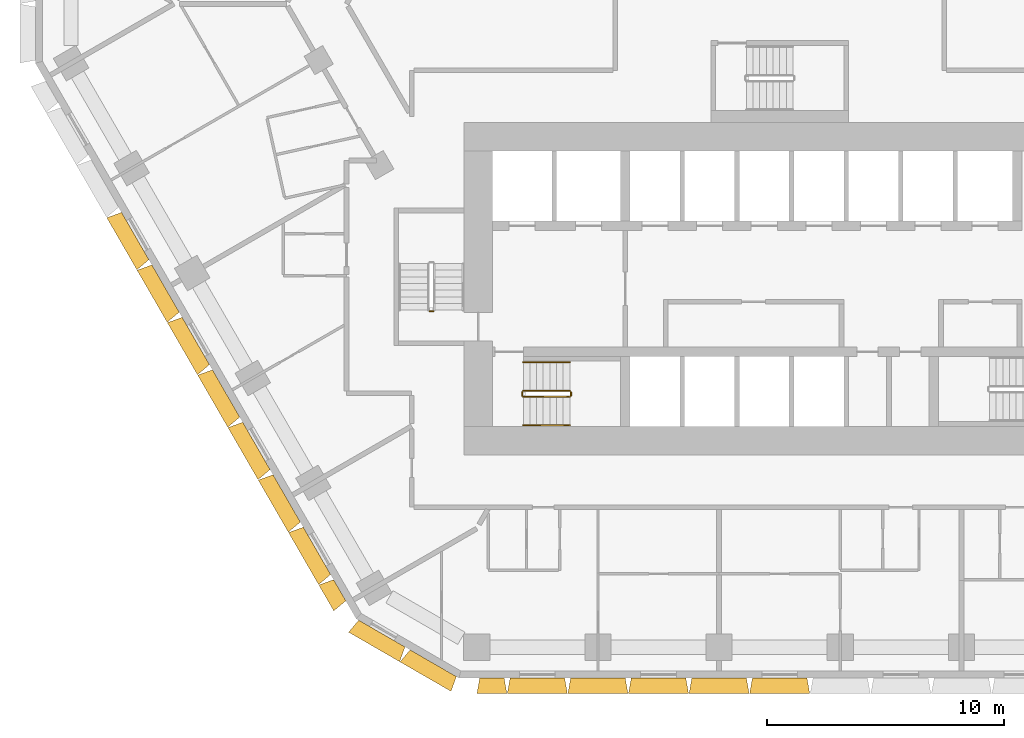
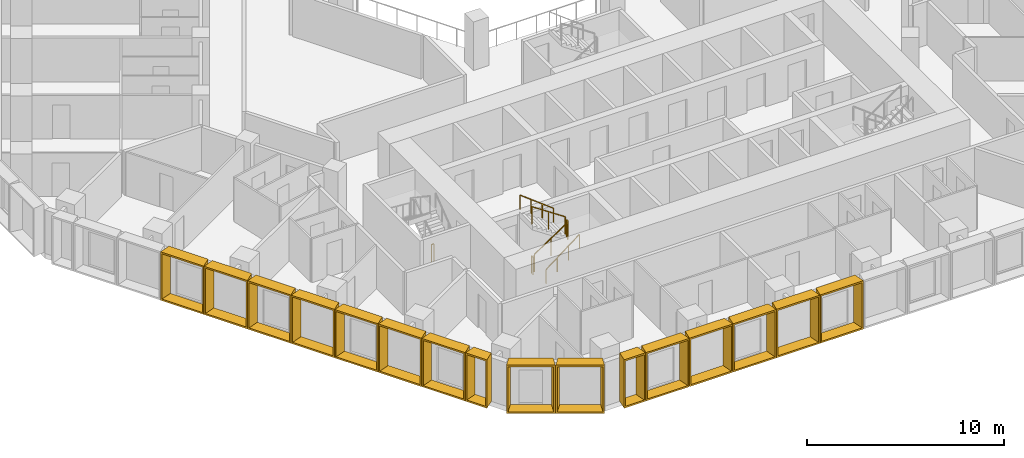
# One storey, part 13 of 16: 16 shading devices, 7 railings.
"""IFC4 building model written with IfcOpenShell, lengths in metres."""

from ifc_helpers import new_model, entity, si_unit, direction, frame, origin, origin_2d, place, context, subcontext, project, spatial, rectangle, extrude, source, transform, mapped, material, type_object, type_shapes, element, save


model = new_model("IFC4")

# Units and contexts
model_context = context("Model", 3, precision=1e-05, world=origin(), true_north=direction((0.0, 1.0)))
body_context = subcontext(model_context, "Body", "Model", "MODEL_VIEW")
ifc_project = project(units=[si_unit("LENGTHUNIT", "METRE"), si_unit("AREAUNIT", "SQUARE_METRE"), si_unit("VOLUMEUNIT", "CUBIC_METRE"), si_unit("PLANEANGLEUNIT", "RADIAN"), si_unit("MASSUNIT", "GRAM", prefix="KILO")], contexts=[model_context])

# Site, building, storey
site_placement = place(None, origin())
site = spatial("IfcSite", under=ifc_project, at=site_placement, CompositionType="ELEMENT")
building_placement = place(site_placement, origin())
building = spatial("IfcBuilding", under=site, at=building_placement, Name="Beryl Residences", CompositionType="ELEMENT")
storey_placement = place(building_placement, frame((0.0, 0.0, 50.39990234375)))
storey = spatial("IfcBuildingStorey", under=building, at=storey_placement, Name="L15", CompositionType="ELEMENT", Elevation=50.39990234375)

# Shading devices
ifc_material_1 = material(Name="Aluminium pale anodised", Category="aluminium")
shading_device_type_1 = type_object("IfcShadingDeviceType", Name="FR128-65A OUTER SKIN frame 650 mm deep, splay 10/10 deg, 1280 x 3000 mm cell", PredefinedType="USERDEFINED", material=ifc_material_1)
cartesian_point_1 = entity("IfcCartesianPoint", [-0.514892578125, 0.0])
cartesian_point_2 = entity("IfcCartesianPoint", [-0.433837890625, 0.10009765625])
cartesian_point_3 = entity("IfcCartesianPoint", [-0.629638671875, 0.0])
cartesian_point_4 = entity("IfcCartesianPoint", [-0.54833984375, 0.10009765625])
shared_shape_1 = source(origin(), body_context, "Body", "SweptSolid", [
    entity("IfcExtrudedAreaSolidTapered", entity("IfcArbitraryProfileDefWithVoids", "AREA", None, entity("IfcPolyline", [cartesian_point_1, entity("IfcCartesianPoint", [0.514892578125, 0.0]), entity("IfcCartesianPoint", [0.514892578125, 3.0]), entity("IfcCartesianPoint", [-0.514892578125, 3.0]), cartesian_point_1]), [entity("IfcPolyline", [cartesian_point_2, entity("IfcCartesianPoint", [0.433837890625, 0.10009765625]), entity("IfcCartesianPoint", [0.433837890625, 2.89990234375]), entity("IfcCartesianPoint", [-0.433837890625, 2.89990234375]), cartesian_point_2])]), entity("IfcAxis2Placement3D", entity("IfcCartesianPoint", [0.0, 0.0, 0.0]), entity("IfcDirection", [0.0, 1.0, 0.0]), entity("IfcDirection", [-1.0, 0.0, 0.0])), entity("IfcDirection", [0.0, 0.0, 1.0]), 0.64990234375, entity("IfcArbitraryProfileDefWithVoids", "AREA", None, entity("IfcPolyline", [cartesian_point_3, entity("IfcCartesianPoint", [0.629638671875, 0.0]), entity("IfcCartesianPoint", [0.629638671875, 3.0]), entity("IfcCartesianPoint", [-0.629638671875, 3.0]), cartesian_point_3]), [entity("IfcPolyline", [cartesian_point_4, entity("IfcCartesianPoint", [0.54833984375, 0.10009765625]), entity("IfcCartesianPoint", [0.54833984375, 2.89990234375]), entity("IfcCartesianPoint", [-0.54833984375, 2.89990234375]), cartesian_point_4])])),
])
type_shapes(shading_device_type_1, [shared_shape_1])
for number, where, z_axis, x_axis, name in (
    (1, (-18.533935546875, -24.698974609375, 0.0), (0.0, 0.0, 1.0), (-0.5, 0.866025403784, 0.0), "FR128-65A frame L15 SW 11"),
    (2, (-12.12109375, -28.39990234375, 0.0), (0.0, 0.0, 1.0), (-1.0, 0.0, 0.0), "FR128-65A frame L15 S 1"),
):
    element("IfcShadingDevice", number, at=place(storey_placement, frame(where, z_axis=z_axis, x_axis=x_axis)), inside=storey, type_object=shading_device_type_1, Name=name, ObjectType="OUTER SKIN", PredefinedType="USERDEFINED", context=body_context, shape_type="MappedRepresentation", body=[
        mapped(shared_shape_1, transform((0.0, 0.0, 0.0))),
    ])
ifc_material_2 = material(Name="Aluminium pale anodised", Category="aluminium")
shading_device_type_2 = type_object("IfcShadingDeviceType", Name="FR250-65A OUTER SKIN frame 650 mm deep, splay 10/10 deg, 2500 x 3000 mm cell", PredefinedType="USERDEFINED", material=ifc_material_2)
cartesian_point_5 = entity("IfcCartesianPoint", [-1.125, 0.0])
cartesian_point_6 = entity("IfcCartesianPoint", [-1.043701171875, 0.10009765625])
cartesian_point_7 = entity("IfcCartesianPoint", [-1.239501953125, 0.0])
cartesian_point_8 = entity("IfcCartesianPoint", [-1.158447265625, 0.10009765625])
shared_shape_2 = source(origin(), body_context, "Body", "SweptSolid", [
    entity("IfcExtrudedAreaSolidTapered", entity("IfcArbitraryProfileDefWithVoids", "AREA", None, entity("IfcPolyline", [cartesian_point_5, entity("IfcCartesianPoint", [1.125, 0.0]), entity("IfcCartesianPoint", [1.125, 3.0]), entity("IfcCartesianPoint", [-1.125, 3.0]), cartesian_point_5]), [entity("IfcPolyline", [cartesian_point_6, entity("IfcCartesianPoint", [1.043701171875, 0.10009765625]), entity("IfcCartesianPoint", [1.043701171875, 2.89990234375]), entity("IfcCartesianPoint", [-1.043701171875, 2.89990234375]), cartesian_point_6])]), entity("IfcAxis2Placement3D", entity("IfcCartesianPoint", [0.0, 0.0, 0.0]), entity("IfcDirection", [0.0, 1.0, 0.0]), entity("IfcDirection", [-1.0, 0.0, 0.0])), entity("IfcDirection", [0.0, 0.0, 1.0]), 0.64990234375, entity("IfcArbitraryProfileDefWithVoids", "AREA", None, entity("IfcPolyline", [cartesian_point_7, entity("IfcCartesianPoint", [1.239501953125, 0.0]), entity("IfcCartesianPoint", [1.239501953125, 3.0]), entity("IfcCartesianPoint", [-1.239501953125, 3.0]), cartesian_point_7]), [entity("IfcPolyline", [cartesian_point_8, entity("IfcCartesianPoint", [1.158447265625, 0.10009765625]), entity("IfcCartesianPoint", [1.158447265625, 2.89990234375]), entity("IfcCartesianPoint", [-1.158447265625, 2.89990234375]), cartesian_point_8])])),
])
type_shapes(shading_device_type_2, [shared_shape_2])
for number, where, z_axis, x_axis, name in (
    (3, (-16.758056640625, -26.52490234375, 0.0), (0.0, 0.0, 1.0), (-0.866025403784, 0.5, 0.0), "FR250-65A frame L15 SW-S 1"),
    (4, (-14.593017578125, -27.77490234375, 0.0), (0.0, 0.0, 1.0), (-0.866025403784, 0.5, 0.0), "FR250-65A frame L15 SW-S 2"),
):
    element("IfcShadingDevice", number, at=place(storey_placement, frame(where, z_axis=z_axis, x_axis=x_axis)), inside=storey, type_object=shading_device_type_2, Name=name, ObjectType="OUTER SKIN", PredefinedType="USERDEFINED", context=body_context, shape_type="MappedRepresentation", body=[
        mapped(shared_shape_2, transform((0.0, 0.0, 0.0))),
    ])
ifc_material_3 = material(Name="Aluminium pale anodised", Category="aluminium")
shading_device_type_3 = type_object("IfcShadingDeviceType", Name="FR255-65A OUTER SKIN frame 650 mm deep, splay 10/10 deg, 2550 x 3000 mm cell", PredefinedType="USERDEFINED", material=ifc_material_3)
cartesian_point_9 = entity("IfcCartesianPoint", [-1.14990234375, 0.0])
cartesian_point_10 = entity("IfcCartesianPoint", [-1.06884765625, 0.10009765625])
cartesian_point_11 = entity("IfcCartesianPoint", [-1.2646484375, 0.0])
cartesian_point_12 = entity("IfcCartesianPoint", [-1.183349609375, 0.10009765625])
shared_shape_3 = source(origin(), body_context, "Body", "SweptSolid", [
    entity("IfcExtrudedAreaSolidTapered", entity("IfcArbitraryProfileDefWithVoids", "AREA", None, entity("IfcPolyline", [cartesian_point_9, entity("IfcCartesianPoint", [1.14990234375, 0.0]), entity("IfcCartesianPoint", [1.14990234375, 3.0]), entity("IfcCartesianPoint", [-1.14990234375, 3.0]), cartesian_point_9]), [entity("IfcPolyline", [cartesian_point_10, entity("IfcCartesianPoint", [1.06884765625, 0.10009765625]), entity("IfcCartesianPoint", [1.06884765625, 2.89990234375]), entity("IfcCartesianPoint", [-1.06884765625, 2.89990234375]), cartesian_point_10])]), entity("IfcAxis2Placement3D", entity("IfcCartesianPoint", [0.0, 0.0, 0.0]), entity("IfcDirection", [0.0, 1.0, 0.0]), entity("IfcDirection", [-1.0, 0.0, 0.0])), entity("IfcDirection", [0.0, 0.0, 1.0]), 0.64990234375, entity("IfcArbitraryProfileDefWithVoids", "AREA", None, entity("IfcPolyline", [cartesian_point_11, entity("IfcCartesianPoint", [1.2646484375, 0.0]), entity("IfcCartesianPoint", [1.2646484375, 3.0]), entity("IfcCartesianPoint", [-1.2646484375, 3.0]), cartesian_point_11]), [entity("IfcPolyline", [cartesian_point_12, entity("IfcCartesianPoint", [1.183349609375, 0.10009765625]), entity("IfcCartesianPoint", [1.183349609375, 2.89990234375]), entity("IfcCartesianPoint", [-1.183349609375, 2.89990234375]), cartesian_point_12])])),
])
type_shapes(shading_device_type_3, [shared_shape_3])
for number, where, z_axis, x_axis, name in (
    (5, (-27.14599609375, -9.781005859375, 0.0), (0.0, 0.0, 1.0), (-0.5, 0.866025403784, 0.0), "FR255-65A frame L15 SW 4"),
    (6, (-25.8701171875, -11.990966796875, 0.0), (0.0, 0.0, 1.0), (-0.5, 0.866025403784, 0.0), "FR255-65A frame L15 SW 5"),
    (7, (-24.594970703125, -14.200927734375, 0.0), (0.0, 0.0, 1.0), (-0.5, 0.866025403784, 0.0), "FR255-65A frame L15 SW 6"),
    (8, (-23.319091796875, -16.410888671875, 0.0), (0.0, 0.0, 1.0), (-0.5, 0.866025403784, 0.0), "FR255-65A frame L15 SW 7"),
    (9, (-22.04296875, -18.62109375, 0.0), (0.0, 0.0, 1.0), (-0.5, 0.866025403784, 0.0), "FR255-65A frame L15 SW 8"),
    (10, (-20.76708984375, -20.8310546875, 0.0), (0.0, 0.0, 1.0), (-0.5, 0.866025403784, 0.0), "FR255-65A frame L15 SW 9"),
    (11, (-19.490966796875, -23.041015625, 0.0), (0.0, 0.0, 1.0), (-0.5, 0.866025403784, 0.0), "FR255-65A frame L15 SW 10"),
    (12, (-10.20703125, -28.39990234375, 0.0), (0.0, 0.0, 1.0), (-1.0, 0.0, 0.0), "FR255-65A frame L15 S 2"),
    (13, (-7.655029296875, -28.39990234375, 0.0), (0.0, 0.0, 1.0), (-1.0, 0.0, 0.0), "FR255-65A frame L15 S 3"),
    (14, (-5.10302734375, -28.39990234375, 0.0), (0.0, 0.0, 1.0), (-1.0, 0.0, 0.0), "FR255-65A frame L15 S 4"),
    (15, (-2.551025390625, -28.39990234375, 0.0), (0.0, 0.0, 1.0), (-1.0, 0.0, 0.0), "FR255-65A frame L15 S 5"),
    (16, (0.0009765625, -28.39990234375, 0.0), (0.0, 0.0, 1.0), (-1.0, 0.0, 0.0), "FR255-65A frame L15 S 6"),
):
    element("IfcShadingDevice", number, at=place(storey_placement, frame(where, z_axis=z_axis, x_axis=x_axis)), inside=storey, type_object=shading_device_type_3, Name=name, ObjectType="OUTER SKIN", PredefinedType="USERDEFINED", context=body_context, shape_type="MappedRepresentation", body=[
        mapped(shared_shape_3, transform((0.0, 0.0, 0.0))),
    ])

# Railings
ifc_material_4 = material(Name="Stainless steel balustrade with glass infill", Category="steel")
railing_type_1 = type_object("IfcRailingType", Name="SG1 stair guard 1100 mm", PredefinedType="GUARDRAIL", material=ifc_material_4)
railing_1_placement = place(storey_placement, frame((-10.800048828125, -16.550048828125, 0.1875)))
element("IfcRailing", 17, at=railing_1_placement, inside=storey, type_object=railing_type_1, Name="L15 ST-1 stair guard 1", PredefinedType="GUARDRAIL", context=body_context, shape_type="SweptSolid", body=[
    extrude(rectangle(XDim=0.048095703125, YDim=0.048095703125, at=origin_2d()), frame((0.0, 0.0, 1.076171875), z_axis=(0.830902050051, 0.0, 0.556418712142), x_axis=(0.0, 1.0, 0.0)), (0.0, 0.0, 1.0), 2.35888671875),
    extrude(rectangle(XDim=0.0419921875, YDim=0.0419921875, at=origin_2d()), origin(), (0.0, 0.0, 1.0), 1.052001953125),
    extrude(rectangle(XDim=0.0419921875, YDim=0.0419921875, at=origin_2d()), frame((0.97998046875, 0.0, 0.65625)), (0.0, 0.0, 1.0), 1.052001953125),
    extrude(rectangle(XDim=0.0419921875, YDim=0.0419921875, at=origin_2d()), frame((1.9599609375, 0.0, 1.3125)), (0.0, 0.0, 1.0), 1.052001953125),
])
railing_2_placement = place(storey_placement, frame((-8.7900390625, -16.5, 1.5)))
element("IfcRailing", 18, at=railing_2_placement, inside=storey, type_object=railing_type_1, Name="L15 ST-1 stair guard 2", PredefinedType="GUARDRAIL", context=body_context, shape_type="SweptSolid", body=[
    extrude(rectangle(XDim=0.048095703125, YDim=0.048095703125, at=origin_2d()), frame((0.0, 0.0, 1.076171875), z_axis=(0.0, 1.0, 0.0), x_axis=(-1.0, 0.0, 0.0)), (0.0, 0.0, 1.0), 0.14990234375),
    extrude(rectangle(XDim=0.0419921875, YDim=0.0419921875, at=origin_2d()), origin(), (0.0, 0.0, 1.0), 1.052001953125),
    extrude(rectangle(XDim=0.0419921875, YDim=0.0419921875, at=origin_2d()), frame((0.0, 0.14990234375, 0.0)), (0.0, 0.0, 1.0), 1.052001953125),
])
railing_3_placement = place(storey_placement, frame((-8.840087890625, -16.300048828125, 1.6875)))
element("IfcRailing", 19, at=railing_3_placement, inside=storey, type_object=railing_type_1, Name="L15 ST-1 stair guard 3", PredefinedType="GUARDRAIL", context=body_context, shape_type="SweptSolid", body=[
    extrude(rectangle(XDim=0.048095703125, YDim=0.048095703125, at=origin_2d()), frame((0.0, 0.0, 1.076171875), z_axis=(-0.830902050051, 0.0, 0.556418712142), x_axis=(0.0, -1.0, 0.0)), (0.0, 0.0, 1.0), 2.35888671875),
    extrude(rectangle(XDim=0.0419921875, YDim=0.0419921875, at=origin_2d()), origin(), (0.0, 0.0, 1.0), 1.052001953125),
    extrude(rectangle(XDim=0.0419921875, YDim=0.0419921875, at=origin_2d()), frame((-0.97998046875, 0.0, 0.65625)), (0.0, 0.0, 1.0), 1.052001953125),
    extrude(rectangle(XDim=0.0419921875, YDim=0.0419921875, at=origin_2d()), frame((-1.9599609375, 0.0, 1.3125)), (0.0, 0.0, 1.0), 1.052001953125),
])
railing_4_placement = place(storey_placement, frame((-10.85009765625, -16.5, 0.0)))
element("IfcRailing", 20, at=railing_4_placement, inside=storey, type_object=railing_type_1, Name="L15 ST-1 stair guard 4", PredefinedType="GUARDRAIL", context=body_context, shape_type="SweptSolid", body=[
    extrude(rectangle(XDim=0.048095703125, YDim=0.048095703125, at=origin_2d()), frame((0.0, 0.0, 1.076171875), z_axis=(0.0, 1.0, 0.0), x_axis=(-1.0, 0.0, 0.0)), (0.0, 0.0, 1.0), 0.14990234375),
    extrude(rectangle(XDim=0.0419921875, YDim=0.0419921875, at=origin_2d()), origin(), (0.0, 0.0, 1.0), 1.052001953125),
    extrude(rectangle(XDim=0.0419921875, YDim=0.0419921875, at=origin_2d()), frame((0.0, 0.14990234375, 0.0)), (0.0, 0.0, 1.0), 1.052001953125),
])
railing_5_placement = place(storey_placement, frame((-14.60009765625, -12.949951171875, 0.0)))
element("IfcRailing", 21, at=railing_5_placement, inside=storey, type_object=railing_type_1, Name="L15 ST-2 stair guard 4", PredefinedType="GUARDRAIL", context=body_context, shape_type="SweptSolid", body=[
    extrude(rectangle(XDim=0.048095703125, YDim=0.048095703125, at=origin_2d()), frame((0.0, 0.0, 1.076171875), z_axis=(-1.0, 0.0, 0.0), x_axis=(0.0, -1.0, 0.0)), (0.0, 0.0, 1.0), 0.14990234375),
    extrude(rectangle(XDim=0.0419921875, YDim=0.0419921875, at=origin_2d()), origin(), (0.0, 0.0, 1.0), 1.052001953125),
    extrude(rectangle(XDim=0.0419921875, YDim=0.0419921875, at=origin_2d()), frame((-0.14990234375, 0.0, 0.0)), (0.0, 0.0, 1.0), 1.052001953125),
])
ifc_material_5 = material(Name="Stainless steel handrail", Category="steel")
railing_type_2 = type_object("IfcRailingType", Name="SRL1 stair handrail 900 mm", PredefinedType="HANDRAIL", material=ifc_material_5)
railing_6_placement = place(storey_placement, frame((-10.800048828125, -17.75, 0.1875)))
element("IfcRailing", 22, at=railing_6_placement, inside=storey, type_object=railing_type_2, Name="L15 ST-1 stair handrail 1", PredefinedType="HANDRAIL", context=body_context, shape_type="SweptSolid", body=[
    extrude(rectangle(XDim=0.048095703125, YDim=0.048095703125, at=origin_2d()), frame((0.0, 0.0, 0.8759765625), z_axis=(0.794121922505, 0.0, 0.607758481798), x_axis=(0.0, 1.0, 0.0)), (0.0, 0.0, 1.0), 2.468017578125),
    extrude(rectangle(XDim=0.0419921875, YDim=0.0419921875, at=origin_2d()), origin(), (0.0, 0.0, 1.0), 0.851806640625),
    extrude(rectangle(XDim=0.0419921875, YDim=0.0419921875, at=origin_2d()), frame((0.6533203125, 0.0, 0.5)), (0.0, 0.0, 1.0), 0.851806640625),
    extrude(rectangle(XDim=0.0419921875, YDim=0.0419921875, at=origin_2d()), frame((1.306640625, 0.0, 1.0)), (0.0, 0.0, 1.0), 0.851806640625),
    extrude(rectangle(XDim=0.0419921875, YDim=0.0419921875, at=origin_2d()), frame((1.9599609375, 0.0, 1.5)), (0.0, 0.0, 1.0), 0.851806640625),
])
railing_7_placement = place(storey_placement, frame((-8.840087890625, -15.10009765625, 1.6875)))
element("IfcRailing", 23, at=railing_7_placement, inside=storey, type_object=railing_type_2, Name="L15 ST-1 stair handrail 2", PredefinedType="HANDRAIL", context=body_context, shape_type="SweptSolid", body=[
    extrude(rectangle(XDim=0.048095703125, YDim=0.048095703125, at=origin_2d()), frame((0.0, 0.0, 0.8759765625), z_axis=(-0.794121922505, 0.0, 0.607758481798), x_axis=(0.0, -1.0, 0.0)), (0.0, 0.0, 1.0), 2.468017578125),
    extrude(rectangle(XDim=0.0419921875, YDim=0.0419921875, at=origin_2d()), origin(), (0.0, 0.0, 1.0), 0.851806640625),
    extrude(rectangle(XDim=0.0419921875, YDim=0.0419921875, at=origin_2d()), frame((-0.6533203125, 0.0, 0.5)), (0.0, 0.0, 1.0), 0.851806640625),
    extrude(rectangle(XDim=0.0419921875, YDim=0.0419921875, at=origin_2d()), frame((-1.306640625, 0.0, 1.0)), (0.0, 0.0, 1.0), 0.851806640625),
    extrude(rectangle(XDim=0.0419921875, YDim=0.0419921875, at=origin_2d()), frame((-1.9599609375, 0.0, 1.5)), (0.0, 0.0, 1.0), 0.851806640625),
])

save(model, "model.ifc")
